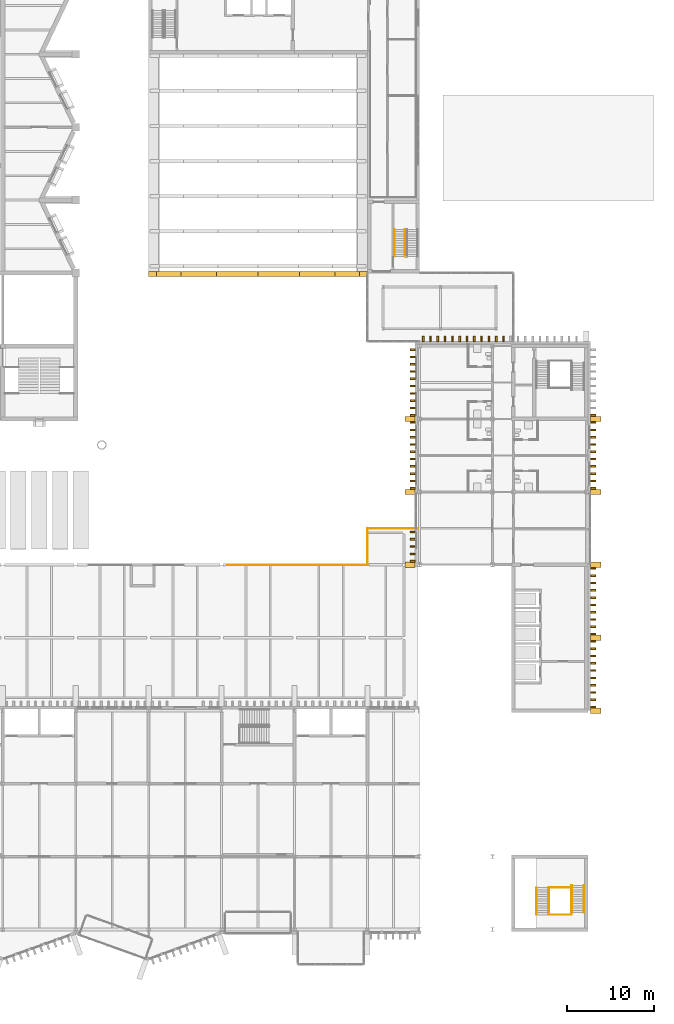
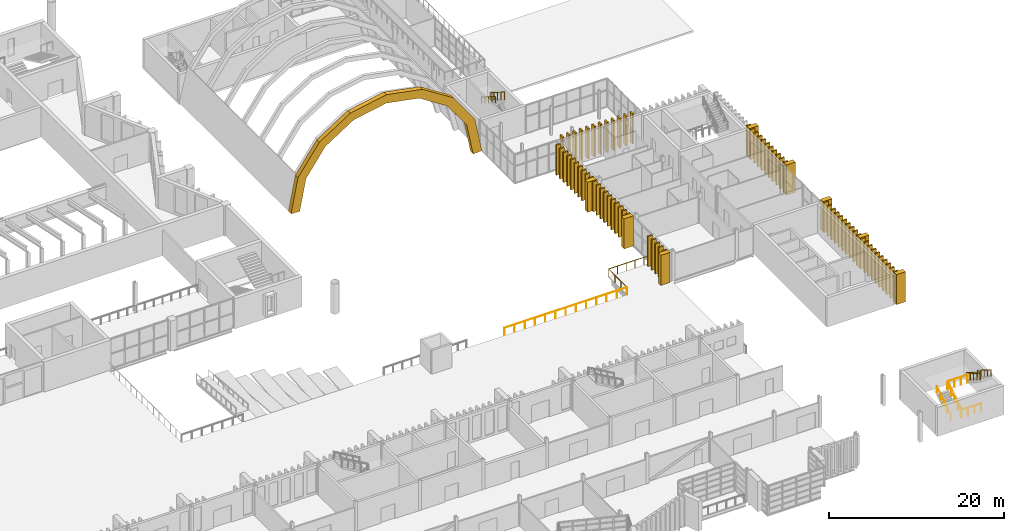
# One storey, part 92 of 96: 77 coverings, 12 railings.
"""IFC4 building model written with IfcOpenShell, lengths in metres."""

from ifc_helpers import new_model, si_unit, direction, frame, origin, origin_2d, place, context, subcontext, project, spatial, polyline, rectangle, circle, outline, extrude, material, type_object, element, save


model = new_model("IFC4")

# Units and contexts
model_context = context("Model", 3, precision=1e-05, world=origin(), true_north=direction((0.0, 1.0)))
body_context = subcontext(model_context, "Body", "Model", "MODEL_VIEW")
ifc_project = project(units=[si_unit("LENGTHUNIT", "METRE"), si_unit("AREAUNIT", "SQUARE_METRE"), si_unit("VOLUMEUNIT", "CUBIC_METRE"), si_unit("PLANEANGLEUNIT", "RADIAN"), si_unit("MASSUNIT", "GRAM", prefix="KILO")], contexts=[model_context])

# Site, building, storey
site_placement = place(None, origin())
site = spatial("IfcSite", under=ifc_project, at=site_placement, CompositionType="ELEMENT")
building_placement = place(site_placement, origin())
building = spatial("IfcBuilding", under=site, at=building_placement, Name="Cresset Court Congress Hotel", CompositionType="ELEMENT")
storey_placement = place(building_placement, frame((0.0, 0.0, 6.0)))
storey = spatial("IfcBuildingStorey", under=building, at=storey_placement, Name="L01", CompositionType="ELEMENT", Elevation=6.0)

# Railings
ifc_material_1 = material(Name="Steel and laminated glass", Category="steel")
railing_type_1 = type_object("IfcRailingType", Name="Guard 1100 steel and glass external", PredefinedType="GUARDRAIL", material=ifc_material_1)
railing_1_placement = place(storey_placement, frame((135.0, 42.0, 0.0)))
element("IfcRailing", 1, at=railing_1_placement, inside=storey, type_object=railing_type_1, Name="Deck guard 08", PredefinedType="GUARDRAIL", context=body_context, shape_type="SweptSolid", body=[
    extrude(circle(Radius=0.02490234375, at=origin_2d()), frame((0.0, 0.0, 1.0751953125), z_axis=(1.0, 0.0, 0.0), x_axis=(0.0, 1.0, 0.0)), (0.0, 0.0, 1.0), 16.199951171875),
    extrude(circle(Radius=0.02001953125, at=origin_2d()), origin(), (0.0, 0.0, 1.0), 1.050048828125),
    extrude(circle(Radius=0.02001953125, at=origin_2d()), frame((1.35009765625, 0.0, 0.0)), (0.0, 0.0, 1.0), 1.050048828125),
    extrude(circle(Radius=0.02001953125, at=origin_2d()), frame((2.699951171875, 0.0, 0.0)), (0.0, 0.0, 1.0), 1.050048828125),
    extrude(circle(Radius=0.02001953125, at=origin_2d()), frame((4.050048828125, 0.0, 0.0)), (0.0, 0.0, 1.0), 1.050048828125),
    extrude(circle(Radius=0.02001953125, at=origin_2d()), frame((5.39990234375, 0.0, 0.0)), (0.0, 0.0, 1.0), 1.050048828125),
    extrude(circle(Radius=0.02001953125, at=origin_2d()), frame((6.75, 0.0, 0.0)), (0.0, 0.0, 1.0), 1.050048828125),
    extrude(circle(Radius=0.02001953125, at=origin_2d()), frame((8.10009765625, 0.0, 0.0)), (0.0, 0.0, 1.0), 1.050048828125),
    extrude(circle(Radius=0.02001953125, at=origin_2d()), frame((9.449951171875, 0.0, 0.0)), (0.0, 0.0, 1.0), 1.050048828125),
    extrude(circle(Radius=0.02001953125, at=origin_2d()), frame((10.800048828125, 0.0, 0.0)), (0.0, 0.0, 1.0), 1.050048828125),
    extrude(circle(Radius=0.02001953125, at=origin_2d()), frame((12.14990234375, 0.0, 0.0)), (0.0, 0.0, 1.0), 1.050048828125),
    extrude(circle(Radius=0.02001953125, at=origin_2d()), frame((13.5, 0.0, 0.0)), (0.0, 0.0, 1.0), 1.050048828125),
    extrude(circle(Radius=0.02001953125, at=origin_2d()), frame((14.849853515625, 0.0, 0.0)), (0.0, 0.0, 1.0), 1.050048828125),
    extrude(circle(Radius=0.02001953125, at=origin_2d()), frame((16.199951171875, 0.0, 0.0)), (0.0, 0.0, 1.0), 1.050048828125),
])
railing_2_placement = place(storey_placement, frame((151.199951171875, 42.0, 0.0)))
element("IfcRailing", 2, at=railing_2_placement, inside=storey, type_object=railing_type_1, Name="Deck guard 09", PredefinedType="GUARDRAIL", context=body_context, shape_type="SweptSolid", body=[
    extrude(circle(Radius=0.02490234375, at=origin_2d()), frame((0.0, 0.0, 1.0751953125), z_axis=(0.0, 1.0, 0.0), x_axis=(-1.0, 0.0, 0.0)), (0.0, 0.0, 1.0), 4.199951171875),
    extrude(circle(Radius=0.02490234375, at=origin_2d()), frame((0.0, 4.199951171875, 1.0751953125), z_axis=(1.0, 0.0, 0.0), x_axis=(0.0, 1.0, 0.0)), (0.0, 0.0, 1.0), 5.800048828125),
    extrude(circle(Radius=0.02001953125, at=origin_2d()), origin(), (0.0, 0.0, 1.0), 1.050048828125),
    extrude(circle(Radius=0.02001953125, at=origin_2d()), frame((0.0, 1.39990234375, 0.0)), (0.0, 0.0, 1.0), 1.050048828125),
    extrude(circle(Radius=0.02001953125, at=origin_2d()), frame((0.0, 2.800048828125, 0.0)), (0.0, 0.0, 1.0), 1.050048828125),
    extrude(circle(Radius=0.02001953125, at=origin_2d()), frame((0.0, 4.199951171875, 0.0)), (0.0, 0.0, 1.0), 1.050048828125),
    extrude(circle(Radius=0.02001953125, at=origin_2d()), frame((1.159912109375, 4.199951171875, 0.0)), (0.0, 0.0, 1.0), 1.050048828125),
    extrude(circle(Radius=0.02001953125, at=origin_2d()), frame((2.320068359375, 4.199951171875, 0.0)), (0.0, 0.0, 1.0), 1.050048828125),
    extrude(circle(Radius=0.02001953125, at=origin_2d()), frame((3.47998046875, 4.199951171875, 0.0)), (0.0, 0.0, 1.0), 1.050048828125),
    extrude(circle(Radius=0.02001953125, at=origin_2d()), frame((4.64013671875, 4.199951171875, 0.0)), (0.0, 0.0, 1.0), 1.050048828125),
    extrude(circle(Radius=0.02001953125, at=origin_2d()), frame((5.800048828125, 4.199951171875, 0.0)), (0.0, 0.0, 1.0), 1.050048828125),
])
ifc_material_2 = material(Name="Stainless steel", Category="steel")
railing_type_2 = type_object("IfcRailingType", Name="Handrail 900", PredefinedType="HANDRAIL", material=ifc_material_2)
railing_3_placement = place(storey_placement, frame((154.300048828125, 80.6201171875, 2.261474609375)))
element("IfcRailing", 3, at=railing_3_placement, inside=storey, type_object=railing_type_2, Name="L01 ST-E2 stair handrail 2", PredefinedType="HANDRAIL", context=body_context, shape_type="SweptSolid", body=[
    extrude(circle(Radius=0.02392578125, at=origin_2d()), frame((0.0, 0.0, 0.8759765625), z_axis=(0.0, -0.849414166554, 0.527726798313), x_axis=(1.0, 0.0, 0.0)), (0.0, 0.0, 1.0), 3.67333984375),
    extrude(circle(Radius=0.02099609375, at=origin_2d()), origin(), (0.0, 0.0, 1.0), 0.851806640625),
    extrude(circle(Radius=0.02099609375, at=origin_2d()), frame((0.0, -0.780029296875, 0.484619140625)), (0.0, 0.0, 1.0), 0.851806640625),
    extrude(circle(Radius=0.02099609375, at=origin_2d()), frame((0.0, -1.56005859375, 0.96923828125)), (0.0, 0.0, 1.0), 0.851806640625),
    extrude(circle(Radius=0.02099609375, at=origin_2d()), frame((0.0, -2.340087890625, 1.453857421875)), (0.0, 0.0, 1.0), 0.851806640625),
    extrude(circle(Radius=0.02099609375, at=origin_2d()), frame((0.0, -3.1201171875, 1.9384765625)), (0.0, 0.0, 1.0), 0.851806640625),
])

# Coverings
ifc_material_3 = material(Name="Precast concrete C50", Category="concrete")
covering_type_1 = type_object("IfcCoveringType", Name="Precast gable arch band 600x1000", PredefinedType="CLADDING", material=ifc_material_3)
covering_placement = place(storey_placement, frame((0.0, 75.5, -6.0)))
element("IfcCovering", 4, at=covering_placement, inside=storey, type_object=covering_type_1, Name="Gable arch band", PredefinedType="CLADDING", context=body_context, shape_type="SweptSolid", body=[
    extrude(outline(polyline([(126.918701171875, 10.73193359375), (129.739990234375, 14.68798828125), (133.828857421875, 17.31298828125), (138.60009765625, 18.231689453125), (143.37109375, 17.31298828125), (147.4599609375, 14.68798828125), (150.28125, 10.73193359375), (151.199951171875, 6.0), (150.048583984375, 5.94384765625), (149.213623046875, 10.243408203125), (146.650390625, 13.837890625), (142.935302734375, 16.222900390625), (138.60009765625, 17.057861328125), (134.264892578125, 16.222900390625), (130.5498046875, 13.837890625), (127.986328125, 10.243408203125), (127.1513671875, 5.94384765625), (126.0, 6.0), (126.918701171875, 10.73193359375)])), frame((0.0, 0.300048828125, 0.0), z_axis=(0.0, -1.0, 0.0), x_axis=(1.0, 0.0, 0.0)), (0.0, 0.0, 1.0), 0.60009765625),
])
ifc_material_4 = material(Name="Precast concrete C50", Category="concrete")
covering_type_2 = type_object("IfcCoveringType", Name="Precast stone fin 200x600", PredefinedType="CLADDING", material=ifc_material_4)
for number, where, z_axis, x_axis, name in (
    (5, (177.199951171875, 25.6201171875, 0.0), (0.0, 0.0, 1.0), (1.0, 0.0, 0.0), "Fin E031"),
    (6, (177.199951171875, 26.4599609375, 0.0), (0.0, 0.0, 1.0), (1.0, 0.0, 0.0), "Fin E032"),
    (7, (177.199951171875, 27.300048828125, 0.0), (0.0, 0.0, 1.0), (1.0, 0.0, 0.0), "Fin E033"),
    (8, (177.199951171875, 28.139892578125, 0.0), (0.0, 0.0, 1.0), (1.0, 0.0, 0.0), "Fin E034"),
    (9, (177.199951171875, 28.97998046875, 0.0), (0.0, 0.0, 1.0), (1.0, 0.0, 0.0), "Fin E035"),
    (10, (177.199951171875, 29.820068359375, 0.0), (0.0, 0.0, 1.0), (1.0, 0.0, 0.0), "Fin E036"),
    (11, (177.199951171875, 30.659912109375, 0.0), (0.0, 0.0, 1.0), (1.0, 0.0, 0.0), "Fin E037"),
    (12, (177.199951171875, 31.5, 0.0), (0.0, 0.0, 1.0), (1.0, 0.0, 0.0), "Fin E038"),
    (13, (177.199951171875, 32.340087890625, 0.0), (0.0, 0.0, 1.0), (1.0, 0.0, 0.0), "Fin E039"),
    (14, (177.199951171875, 33.179931640625, 0.0), (0.0, 0.0, 1.0), (1.0, 0.0, 0.0), "Fin E040"),
    (15, (177.199951171875, 34.02001953125, 0.0), (0.0, 0.0, 1.0), (1.0, 0.0, 0.0), "Fin E041"),
    (16, (177.199951171875, 34.860107421875, 0.0), (0.0, 0.0, 1.0), (1.0, 0.0, 0.0), "Fin E042"),
    (17, (177.199951171875, 35.699951171875, 0.0), (0.0, 0.0, 1.0), (1.0, 0.0, 0.0), "Fin E043"),
    (18, (177.199951171875, 36.5400390625, 0.0), (0.0, 0.0, 1.0), (1.0, 0.0, 0.0), "Fin E044"),
    (19, (177.199951171875, 37.3798828125, 0.0), (0.0, 0.0, 1.0), (1.0, 0.0, 0.0), "Fin E045"),
    (20, (177.199951171875, 38.219970703125, 0.0), (0.0, 0.0, 1.0), (1.0, 0.0, 0.0), "Fin E046"),
    (21, (177.199951171875, 39.06005859375, 0.0), (0.0, 0.0, 1.0), (1.0, 0.0, 0.0), "Fin E047"),
    (22, (177.199951171875, 39.89990234375, 0.0), (0.0, 0.0, 1.0), (1.0, 0.0, 0.0), "Fin E048"),
    (23, (177.199951171875, 40.739990234375, 0.0), (0.0, 0.0, 1.0), (1.0, 0.0, 0.0), "Fin E049"),
    (24, (177.199951171875, 41.580078125, 0.0), (0.0, 0.0, 1.0), (1.0, 0.0, 0.0), "Fin E050"),
    (25, (177.199951171875, 50.820068359375, 0.0), (0.0, 0.0, 1.0), (1.0, 0.0, 0.0), "Fin E061"),
    (26, (177.199951171875, 51.659912109375, 0.0), (0.0, 0.0, 1.0), (1.0, 0.0, 0.0), "Fin E062"),
    (27, (177.199951171875, 52.5, 0.0), (0.0, 0.0, 1.0), (1.0, 0.0, 0.0), "Fin E063"),
    (28, (177.199951171875, 53.340087890625, 0.0), (0.0, 0.0, 1.0), (1.0, 0.0, 0.0), "Fin E064"),
    (29, (177.199951171875, 54.179931640625, 0.0), (0.0, 0.0, 1.0), (1.0, 0.0, 0.0), "Fin E065"),
    (30, (177.199951171875, 55.02001953125, 0.0), (0.0, 0.0, 1.0), (1.0, 0.0, 0.0), "Fin E066"),
    (31, (177.199951171875, 55.860107421875, 0.0), (0.0, 0.0, 1.0), (1.0, 0.0, 0.0), "Fin E067"),
    (32, (177.199951171875, 56.699951171875, 0.0), (0.0, 0.0, 1.0), (1.0, 0.0, 0.0), "Fin E068"),
    (33, (177.199951171875, 57.5400390625, 0.0), (0.0, 0.0, 1.0), (1.0, 0.0, 0.0), "Fin E069"),
    (34, (177.199951171875, 58.3798828125, 0.0), (0.0, 0.0, 1.0), (1.0, 0.0, 0.0), "Fin E070"),
    (35, (177.199951171875, 59.219970703125, 0.0), (0.0, 0.0, 1.0), (1.0, 0.0, 0.0), "Fin E071"),
    (36, (156.39990234375, 42.419921875, 0.0), (0.0, 0.0, 1.0), (1.0, 0.0, 0.0), "Fin W051"),
    (37, (156.39990234375, 43.260009765625, 0.0), (0.0, 0.0, 1.0), (1.0, 0.0, 0.0), "Fin W052"),
    (38, (156.39990234375, 44.10009765625, 0.0), (0.0, 0.0, 1.0), (1.0, 0.0, 0.0), "Fin W053"),
    (39, (156.39990234375, 44.93994140625, 0.0), (0.0, 0.0, 1.0), (1.0, 0.0, 0.0), "Fin W054"),
    (40, (156.39990234375, 45.780029296875, 0.0), (0.0, 0.0, 1.0), (1.0, 0.0, 0.0), "Fin W055"),
    (41, (156.39990234375, 50.820068359375, 0.0), (0.0, 0.0, 1.0), (1.0, 0.0, 0.0), "Fin W061"),
    (42, (156.39990234375, 51.659912109375, 0.0), (0.0, 0.0, 1.0), (1.0, 0.0, 0.0), "Fin W062"),
    (43, (156.39990234375, 52.5, 0.0), (0.0, 0.0, 1.0), (1.0, 0.0, 0.0), "Fin W063"),
    (44, (156.39990234375, 53.340087890625, 0.0), (0.0, 0.0, 1.0), (1.0, 0.0, 0.0), "Fin W064"),
    (45, (156.39990234375, 54.179931640625, 0.0), (0.0, 0.0, 1.0), (1.0, 0.0, 0.0), "Fin W065"),
    (46, (156.39990234375, 55.02001953125, 0.0), (0.0, 0.0, 1.0), (1.0, 0.0, 0.0), "Fin W066"),
    (47, (156.39990234375, 55.860107421875, 0.0), (0.0, 0.0, 1.0), (1.0, 0.0, 0.0), "Fin W067"),
    (48, (156.39990234375, 56.699951171875, 0.0), (0.0, 0.0, 1.0), (1.0, 0.0, 0.0), "Fin W068"),
    (49, (156.39990234375, 57.5400390625, 0.0), (0.0, 0.0, 1.0), (1.0, 0.0, 0.0), "Fin W069"),
    (50, (156.39990234375, 58.3798828125, 0.0), (0.0, 0.0, 1.0), (1.0, 0.0, 0.0), "Fin W070"),
    (51, (156.39990234375, 59.219970703125, 0.0), (0.0, 0.0, 1.0), (1.0, 0.0, 0.0), "Fin W071"),
    (52, (156.39990234375, 60.06005859375, 0.0), (0.0, 0.0, 1.0), (1.0, 0.0, 0.0), "Fin W072"),
    (53, (156.39990234375, 60.89990234375, 0.0), (0.0, 0.0, 1.0), (1.0, 0.0, 0.0), "Fin W073"),
    (54, (156.39990234375, 61.739990234375, 0.0), (0.0, 0.0, 1.0), (1.0, 0.0, 0.0), "Fin W074"),
    (55, (156.39990234375, 62.580078125, 0.0), (0.0, 0.0, 1.0), (1.0, 0.0, 0.0), "Fin W075"),
    (56, (156.39990234375, 63.419921875, 0.0), (0.0, 0.0, 1.0), (1.0, 0.0, 0.0), "Fin W076"),
    (57, (156.39990234375, 64.260009765625, 0.0), (0.0, 0.0, 1.0), (1.0, 0.0, 0.0), "Fin W077"),
    (58, (156.39990234375, 65.10009765625, 0.0), (0.0, 0.0, 1.0), (1.0, 0.0, 0.0), "Fin W078"),
    (59, (156.39990234375, 65.93994140625, 0.0), (0.0, 0.0, 1.0), (1.0, 0.0, 0.0), "Fin W079"),
    (60, (156.39990234375, 66.780029296875, 0.0), (0.0, 0.0, 1.0), (1.0, 0.0, 0.0), "Fin W080"),
):
    element("IfcCovering", number, at=place(storey_placement, frame(where, z_axis=z_axis, x_axis=x_axis)), inside=storey, type_object=covering_type_2, Name=name, PredefinedType="CLADDING", context=body_context, shape_type="SweptSolid", body=[
        extrude(rectangle(XDim=0.60009765625, YDim=0.199951171875, at=origin_2d()), origin(), (0.0, 0.0, 1.0), 4.199951171875),
    ])
for number, where, z_axis, x_axis, name in (
    (61, (157.6201171875, 68.0, 0.0), (0.0, 0.0, 1.0), (1.0, 0.0, 0.0), "Fin N001"),
    (62, (158.4599609375, 68.0, 0.0), (0.0, 0.0, 1.0), (1.0, 0.0, 0.0), "Fin N002"),
    (63, (159.300048828125, 68.0, 0.0), (0.0, 0.0, 1.0), (1.0, 0.0, 0.0), "Fin N003"),
    (64, (160.139892578125, 68.0, 0.0), (0.0, 0.0, 1.0), (1.0, 0.0, 0.0), "Fin N004"),
    (65, (160.97998046875, 68.0, 0.0), (0.0, 0.0, 1.0), (1.0, 0.0, 0.0), "Fin N005"),
    (66, (161.820068359375, 68.0, 0.0), (0.0, 0.0, 1.0), (1.0, 0.0, 0.0), "Fin N006"),
    (67, (162.659912109375, 68.0, 0.0), (0.0, 0.0, 1.0), (1.0, 0.0, 0.0), "Fin N007"),
    (68, (163.5, 68.0, 0.0), (0.0, 0.0, 1.0), (1.0, 0.0, 0.0), "Fin N008"),
    (69, (164.340087890625, 68.0, 0.0), (0.0, 0.0, 1.0), (1.0, 0.0, 0.0), "Fin N009"),
    (70, (165.179931640625, 68.0, 0.0), (0.0, 0.0, 1.0), (1.0, 0.0, 0.0), "Fin N010"),
    (71, (166.02001953125, 68.0, 0.0), (0.0, 0.0, 1.0), (1.0, 0.0, 0.0), "Fin N011"),
    (72, (166.860107421875, 68.0, 0.0), (0.0, 0.0, 1.0), (1.0, 0.0, 0.0), "Fin N012"),
):
    element("IfcCovering", number, at=place(storey_placement, frame(where, z_axis=z_axis, x_axis=x_axis)), inside=storey, type_object=covering_type_2, Name=name, PredefinedType="CLADDING", context=body_context, shape_type="SweptSolid", body=[
        extrude(rectangle(XDim=0.199951171875, YDim=0.60009765625, at=origin_2d()), origin(), (0.0, 0.0, 1.0), 4.199951171875),
    ])
ifc_material_5 = material(Name="Precast concrete C50", Category="concrete")
covering_type_3 = type_object("IfcCoveringType", Name="Precast stone pier 600x1200", PredefinedType="CLADDING", material=ifc_material_5)
for number, where, z_axis, x_axis, name in (
    (73, (177.5, 25.199951171875, 0.0), (0.0, 0.0, 1.0), (1.0, 0.0, 0.0), "Pier E03"),
    (74, (177.5, 33.60009765625, 0.0), (0.0, 0.0, 1.0), (1.0, 0.0, 0.0), "Pier E04"),
    (75, (177.5, 42.0, 0.0), (0.0, 0.0, 1.0), (1.0, 0.0, 0.0), "Pier E05"),
    (76, (177.5, 50.39990234375, 0.0), (0.0, 0.0, 1.0), (1.0, 0.0, 0.0), "Pier E06"),
    (77, (177.5, 58.800048828125, 0.0), (0.0, 0.0, 1.0), (1.0, 0.0, 0.0), "Pier E07"),
    (78, (156.10009765625, 42.0, 0.0), (0.0, 0.0, 1.0), (1.0, 0.0, 0.0), "Pier W06"),
    (79, (156.10009765625, 50.39990234375, 0.0), (0.0, 0.0, 1.0), (1.0, 0.0, 0.0), "Pier W07"),
    (80, (156.10009765625, 58.800048828125, 0.0), (0.0, 0.0, 1.0), (1.0, 0.0, 0.0), "Pier W08"),
):
    element("IfcCovering", number, at=place(storey_placement, frame(where, z_axis=z_axis, x_axis=x_axis)), inside=storey, type_object=covering_type_3, Name=name, PredefinedType="CLADDING", context=body_context, shape_type="SweptSolid", body=[
        extrude(rectangle(XDim=1.199951171875, YDim=0.60009765625, at=origin_2d()), origin(), (0.0, 0.0, 1.0), 4.199951171875),
    ])

# Railings
ifc_material_6 = material(Name="Stainless steel", Category="steel")
railing_type_3 = type_object("IfcRailingType", Name="Stair guard 1100", PredefinedType="GUARDRAIL", material=ifc_material_6)
railing_4_placement = place(storey_placement, frame((172.10009765625, 1.699951171875, 0.16162109375)))
element("IfcRailing", 81, at=railing_4_placement, inside=storey, type_object=railing_type_3, Name="Guard A1 L01", PredefinedType="GUARDRAIL", context=body_context, shape_type="SweptSolid", body=[
    extrude(circle(Radius=0.02392578125, at=origin_2d()), frame((0.0, 0.0, 1.076171875), z_axis=(0.0, 0.849414166554, 0.527726798313), x_axis=(-1.0, 0.0, 0.0)), (0.0, 0.0, 1.0), 3.67333984375),
    extrude(circle(Radius=0.02099609375, at=origin_2d()), origin(), (0.0, 0.0, 1.0), 1.052001953125),
    extrude(circle(Radius=0.02099609375, at=origin_2d()), frame((0.0, 0.780029296875, 0.484619140625)), (0.0, 0.0, 1.0), 1.052001953125),
    extrude(circle(Radius=0.02099609375, at=origin_2d()), frame((0.0, 1.56005859375, 0.96923828125)), (0.0, 0.0, 1.0), 1.052001953125),
    extrude(circle(Radius=0.02099609375, at=origin_2d()), frame((0.0, 2.340087890625, 1.453857421875)), (0.0, 0.0, 1.0), 1.052001953125),
    extrude(circle(Radius=0.02099609375, at=origin_2d()), frame((0.0, 3.1201171875, 1.9384765625)), (0.0, 0.0, 1.0), 1.052001953125),
])
railing_5_placement = place(storey_placement, frame((174.699951171875, 5.080078125, 2.261474609375)))
element("IfcRailing", 82, at=railing_5_placement, inside=storey, type_object=railing_type_3, Name="Guard A1 L01", PredefinedType="GUARDRAIL", context=body_context, shape_type="SweptSolid", body=[
    extrude(circle(Radius=0.02392578125, at=origin_2d()), frame((0.0, 0.0, 1.076171875), z_axis=(0.0, -0.849414166554, 0.527726798313), x_axis=(1.0, 0.0, 0.0)), (0.0, 0.0, 1.0), 3.67333984375),
    extrude(circle(Radius=0.02099609375, at=origin_2d()), origin(), (0.0, 0.0, 1.0), 1.052001953125),
    extrude(circle(Radius=0.02099609375, at=origin_2d()), frame((0.0, -0.780029296875, 0.484619140625)), (0.0, 0.0, 1.0), 1.052001953125),
    extrude(circle(Radius=0.02099609375, at=origin_2d()), frame((0.0, -1.56005859375, 0.96923828125)), (0.0, 0.0, 1.0), 1.052001953125),
    extrude(circle(Radius=0.02099609375, at=origin_2d()), frame((0.0, -2.340087890625, 1.453857421875)), (0.0, 0.0, 1.0), 1.052001953125),
    extrude(circle(Radius=0.02099609375, at=origin_2d()), frame((0.0, -3.1201171875, 1.9384765625)), (0.0, 0.0, 1.0), 1.052001953125),
])
for number, where, name in (
    (83, (172.10009765625, 1.699951171875, 0.0), "Guard A1 L01"),
    (84, (172.10009765625, 4.820068359375, 2.10009765625), "Guard A1 L01"),
):
    element("IfcRailing", number, at=place(storey_placement, frame(where)), inside=storey, type_object=railing_type_3, Name=name, PredefinedType="GUARDRAIL", context=body_context, shape_type="SweptSolid", body=[
        extrude(circle(Radius=0.02392578125, at=origin_2d()), frame((0.0, 0.0, 1.076171875), z_axis=(1.0, 0.0, 0.0), x_axis=(0.0, 1.0, 0.0)), (0.0, 0.0, 1.0), 2.599853515625),
        extrude(circle(Radius=0.02099609375, at=origin_2d()), origin(), (0.0, 0.0, 1.0), 1.052001953125),
        extrude(circle(Radius=0.02099609375, at=origin_2d()), frame((0.86669921875, 0.0, 0.0)), (0.0, 0.0, 1.0), 1.052001953125),
        extrude(circle(Radius=0.02099609375, at=origin_2d()), frame((1.733154296875, 0.0, 0.0)), (0.0, 0.0, 1.0), 1.052001953125),
        extrude(circle(Radius=0.02099609375, at=origin_2d()), frame((2.599853515625, 0.0, 0.0)), (0.0, 0.0, 1.0), 1.052001953125),
    ])
ifc_material_7 = material(Name="Stainless steel", Category="steel")
railing_type_4 = type_object("IfcRailingType", Name="Stair guard 1100 internal", PredefinedType="GUARDRAIL", material=ifc_material_7)
railing_6_placement = place(storey_placement, frame((155.5, 80.6201171875, 2.261474609375)))
element("IfcRailing", 85, at=railing_6_placement, inside=storey, type_object=railing_type_4, Name="L01 ST-E2 stair guard 3", PredefinedType="GUARDRAIL", context=body_context, shape_type="SweptSolid", body=[
    extrude(circle(Radius=0.02392578125, at=origin_2d()), frame((0.0, 0.0, 1.076171875), z_axis=(0.0, -0.849414166554, 0.527726798313), x_axis=(1.0, 0.0, 0.0)), (0.0, 0.0, 1.0), 3.67333984375),
    extrude(circle(Radius=0.02099609375, at=origin_2d()), origin(), (0.0, 0.0, 1.0), 1.052001953125),
    extrude(circle(Radius=0.02099609375, at=origin_2d()), frame((0.0, -0.780029296875, 0.484619140625)), (0.0, 0.0, 1.0), 1.052001953125),
    extrude(circle(Radius=0.02099609375, at=origin_2d()), frame((0.0, -1.56005859375, 0.96923828125)), (0.0, 0.0, 1.0), 1.052001953125),
    extrude(circle(Radius=0.02099609375, at=origin_2d()), frame((0.0, -2.340087890625, 1.453857421875)), (0.0, 0.0, 1.0), 1.052001953125),
    extrude(circle(Radius=0.02099609375, at=origin_2d()), frame((0.0, -3.1201171875, 1.9384765625)), (0.0, 0.0, 1.0), 1.052001953125),
])
ifc_material_8 = material(Name="Stainless steel", Category="steel")
railing_type_5 = type_object("IfcRailingType", Name="Stair handrail 900", PredefinedType="HANDRAIL", material=ifc_material_8)
for number, where, name in (
    (86, (170.659912109375, 1.699951171875, 0.16162109375), "Handrail A1 L01"),
    (87, (172.0400390625, 1.699951171875, 0.16162109375), "Handrail A1 L01"),
):
    element("IfcRailing", number, at=place(storey_placement, frame(where)), inside=storey, type_object=railing_type_5, Name=name, PredefinedType="HANDRAIL", context=body_context, shape_type="SweptSolid", body=[
        extrude(circle(Radius=0.02392578125, at=origin_2d()), frame((0.0, 0.0, 0.8759765625), z_axis=(0.0, 0.849414166554, 0.527726798313), x_axis=(-1.0, 0.0, 0.0)), (0.0, 0.0, 1.0), 3.67333984375),
        extrude(circle(Radius=0.02099609375, at=origin_2d()), origin(), (0.0, 0.0, 1.0), 0.851806640625),
        extrude(circle(Radius=0.02099609375, at=origin_2d()), frame((0.0, 0.780029296875, 0.484619140625)), (0.0, 0.0, 1.0), 0.851806640625),
        extrude(circle(Radius=0.02099609375, at=origin_2d()), frame((0.0, 1.56005859375, 0.96923828125)), (0.0, 0.0, 1.0), 0.851806640625),
        extrude(circle(Radius=0.02099609375, at=origin_2d()), frame((0.0, 2.340087890625, 1.453857421875)), (0.0, 0.0, 1.0), 0.851806640625),
        extrude(circle(Radius=0.02099609375, at=origin_2d()), frame((0.0, 3.1201171875, 1.9384765625)), (0.0, 0.0, 1.0), 0.851806640625),
    ])
for number, where, name in (
    (88, (174.760009765625, 5.080078125, 2.261474609375), "Handrail A1 L01"),
    (89, (176.139892578125, 5.080078125, 2.261474609375), "Handrail A1 L01"),
):
    element("IfcRailing", number, at=place(storey_placement, frame(where)), inside=storey, type_object=railing_type_5, Name=name, PredefinedType="HANDRAIL", context=body_context, shape_type="SweptSolid", body=[
        extrude(circle(Radius=0.02392578125, at=origin_2d()), frame((0.0, 0.0, 0.8759765625), z_axis=(0.0, -0.849414166554, 0.527726798313), x_axis=(1.0, 0.0, 0.0)), (0.0, 0.0, 1.0), 3.67333984375),
        extrude(circle(Radius=0.02099609375, at=origin_2d()), origin(), (0.0, 0.0, 1.0), 0.851806640625),
        extrude(circle(Radius=0.02099609375, at=origin_2d()), frame((0.0, -0.780029296875, 0.484619140625)), (0.0, 0.0, 1.0), 0.851806640625),
        extrude(circle(Radius=0.02099609375, at=origin_2d()), frame((0.0, -1.56005859375, 0.96923828125)), (0.0, 0.0, 1.0), 0.851806640625),
        extrude(circle(Radius=0.02099609375, at=origin_2d()), frame((0.0, -2.340087890625, 1.453857421875)), (0.0, 0.0, 1.0), 0.851806640625),
        extrude(circle(Radius=0.02099609375, at=origin_2d()), frame((0.0, -3.1201171875, 1.9384765625)), (0.0, 0.0, 1.0), 0.851806640625),
    ])

save(model, "model.ifc")
